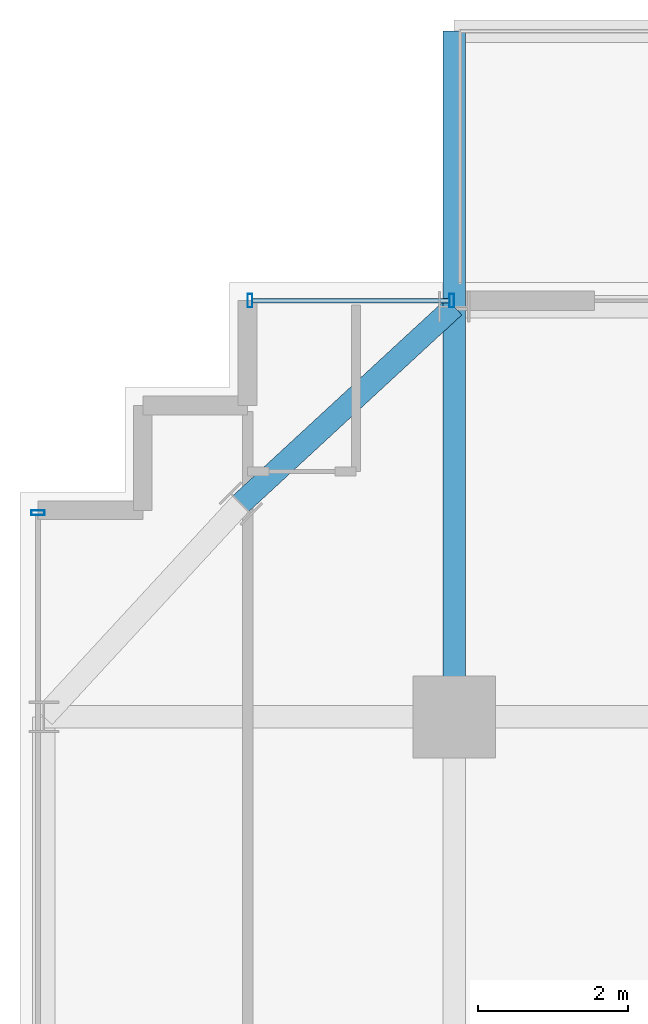
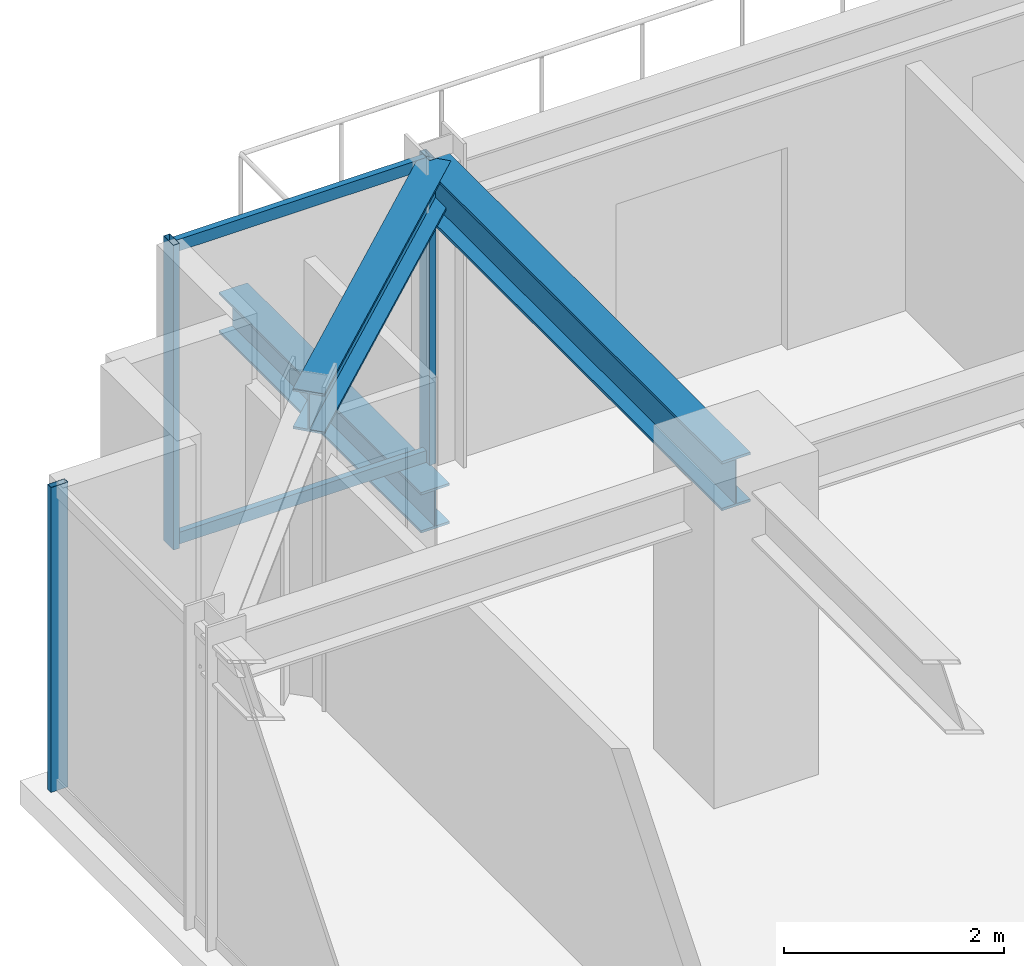
# One storey, part 15 of 29: 5 members, 3 beams, 2 elements without a shape of their own.
"""IFC4 building model written with IfcOpenShell, lengths in metres."""

from ifc_helpers import new_model, si_unit, direction, frame, origin, origin_2d, place, context, subcontext, project, spatial, hollow_rectangle, i_section, extrude, source, transform, mapped, material, material_profile, profile_set, type_object, element, aggregate, save


model = new_model("IFC4")

# Units and contexts
model_context = context("Model", 3, precision=1e-05, world=origin(), true_north=direction((0.0, 1.0)))
body_context = subcontext(model_context, "Body", "Model", "MODEL_VIEW")
ifc_project = project(units=[si_unit("LENGTHUNIT", "METRE"), si_unit("AREAUNIT", "SQUARE_METRE"), si_unit("VOLUMEUNIT", "CUBIC_METRE"), si_unit("PLANEANGLEUNIT", "RADIAN"), si_unit("MASSUNIT", "GRAM", prefix="KILO")], contexts=[model_context])

# Site, building, storey
site_placement = place(None, origin())
site = spatial("IfcSite", under=ifc_project, at=site_placement, CompositionType="ELEMENT")
building_placement = place(site_placement, origin())
building = spatial("IfcBuilding", under=site, at=building_placement, Name="Nahalor Promenade Grand Hotel", CompositionType="ELEMENT")
storey_placement = place(building_placement, frame((0.0, 0.0, 189.14990234375)))
storey = spatial("IfcBuildingStorey", under=building, at=storey_placement, Name="L48", CompositionType="ELEMENT", Elevation=189.14990234375)

# Beams
ifc_material_1 = material(Name="Steel S355JR", Category="steel")
ifc_material_profile_1 = material_profile(ifc_material_1, i_section(OverallWidth=0.3, OverallDepth=0.45, WebThickness=0.014, FlangeThickness=0.026, at=origin_2d()), Name="HEB 450")
ifc_profile_set_1 = profile_set([ifc_material_profile_1], Name="Steel S355JR")
beam_type_1 = type_object("IfcBeamType", Name="Beam-Outrigger-HEB450", PredefinedType="BEAM", material=ifc_profile_set_1)
shared_shape_1 = source(origin(), body_context, "Body", "SweptSolid", [
    extrude(i_section(OverallWidth=0.3, OverallDepth=0.45, WebThickness=0.014, FlangeThickness=0.026, at=origin_2d()), origin(), (0.0, 0.0, 1.0), 3.679931640625),
])
beam_1_placement = place(storey_placement, frame((-17.0, 22.47998046875, -0.5048828125), z_axis=(0.0, 1.0, 0.0), x_axis=(-1.0, 0.0, 0.0)))
element("IfcBeam", 1, at=beam_1_placement, inside=storey, type_object=beam_type_1, Name="BM-L48-BC-01-1", PredefinedType="BEAM", context=body_context, shape_type="MappedRepresentation", body=[
    mapped(shared_shape_1, transform((0.0, 0.0, 0.0), scale=1.0)),
])
ifc_material_profile_2 = material_profile(ifc_material_1, i_section(OverallWidth=0.3, OverallDepth=0.55, WebThickness=0.015, FlangeThickness=0.029, at=origin_2d()), Name="HEB 550")
ifc_profile_set_2 = profile_set([ifc_material_profile_2], Name="Steel S355JR")
beam_type_2 = type_object("IfcBeamType", Name="Beam-Girder-HEB550", PredefinedType="BEAM", material=ifc_profile_set_2)
shared_shape_2 = source(origin(), body_context, "Body", "SweptSolid", [
    extrude(i_section(OverallWidth=0.3, OverallDepth=0.55, WebThickness=0.015, FlangeThickness=0.029, at=origin_2d()), origin(), (0.0, 0.0, 1.0), 5.47998046875),
])
beam_2_placement = place(storey_placement, frame((-17.0, 17.0, 3.114990234375), z_axis=(0.0, 1.0, 0.0), x_axis=(-1.0, 0.0, 0.0)))
element("IfcBeam", 2, at=beam_2_placement, inside=storey, type_object=beam_type_2, Name="BM-L48-GY-0-4", PredefinedType="BEAM", context=body_context, shape_type="MappedRepresentation", body=[
    mapped(shared_shape_2, transform((0.0, 0.0, 0.0), scale=1.0)),
])
ifc_material_profile_3 = material_profile(ifc_material_1, i_section(OverallWidth=0.3, OverallDepth=0.45, WebThickness=0.014, FlangeThickness=0.026, at=origin_2d()), Name="HEB 450")
ifc_profile_set_3 = profile_set([ifc_material_profile_3], Name="Steel S355JR")
beam_type_3 = type_object("IfcBeamType", Name="Beam-Spandrel-HEB450", PredefinedType="SPANDREL", material=ifc_profile_set_3)
shared_shape_3 = source(origin(), body_context, "Body", "SweptSolid", [
    extrude(i_section(OverallWidth=0.3, OverallDepth=0.45, WebThickness=0.014, FlangeThickness=0.026, at=origin_2d()), origin(), (0.0, 0.0, 1.0), 3.878173828125),
])
beam_3_placement = place(storey_placement, frame((-17.0, 22.47998046875, 3.1650390625), z_axis=(-0.73492893846, -0.678144125843, 0.0), x_axis=(0.678144125843, -0.73492893846, 0.0)))
element("IfcBeam", 3, at=beam_3_placement, inside=storey, type_object=beam_type_3, Name="BM-L48-SPC-NW-1", PredefinedType="SPANDREL", context=body_context, shape_type="MappedRepresentation", body=[
    mapped(shared_shape_3, transform((0.0, 0.0, 0.0), scale=1.0)),
])

# Curtain wall, members
ifc_material_2 = material(Name="Anodised Bronze Aluminium EN AW-6063 T6", Category="aluminium")
curtain_wall_type = type_object("IfcCurtainWallType", Name="CW2 Typical Hotel Flush Bronze Unitised Curtain Wall", PredefinedType="USERDEFINED", material=ifc_material_2)
curtain_wall_1_placement = place(storey_placement, origin())
curtain_wall_1 = element("IfcCurtainWall", 4, at=curtain_wall_1_placement, inside=storey, type_object=curtain_wall_type, Name="L48 Curtain Wall CW-L48-N-1", ObjectType="UNITISED_CURTAIN_WALL", PredefinedType="USERDEFINED")
ifc_material_profile_4 = material_profile(ifc_material_2, hollow_rectangle(XDim=0.065, YDim=0.13, WallThickness=0.004, at=origin_2d()), Name="CWT 65x130x4")
ifc_profile_set_4 = profile_set([ifc_material_profile_4], Name="Anodised Bronze Aluminium EN AW-6063 T6")
member_type_1 = type_object("IfcMemberType", Name="CWT2 Typical Bronze Transom 65x130", PredefinedType="USERDEFINED", material=ifc_profile_set_4)
shared_shape_4 = source(origin(), body_context, "Body", "SweptSolid", [
    extrude(hollow_rectangle(XDim=0.065, YDim=0.13, WallThickness=0.004, at=origin_2d()), origin(), (0.0, 0.0, 1.0), 2.630126953125),
])
member_1_placement = place(storey_placement, frame((-19.695068359375, 22.56005859375, 0.065185546875), z_axis=(1.0, 0.0, 0.0), x_axis=(0.0, 1.0, 0.0)))
member_1 = element("IfcMember", 5, at=member_1_placement, type_object=member_type_1, Name="CW-L48-N-1 Transom 0-0", ObjectType="TRANSOM", PredefinedType="USERDEFINED", context=body_context, shape_type="MappedRepresentation", body=[
    mapped(shared_shape_4, transform((0.0, 0.0, 0.0), scale=1.0)),
])
member_2_placement = place(storey_placement, frame((-19.695068359375, 22.56005859375, 3.3251953125), z_axis=(1.0, 0.0, 0.0), x_axis=(0.0, 1.0, 0.0)))
member_2 = element("IfcMember", 6, at=member_2_placement, type_object=member_type_1, Name="CW-L48-N-1 Transom 0-1", ObjectType="TRANSOM", PredefinedType="USERDEFINED", context=body_context, shape_type="MappedRepresentation", body=[
    mapped(shared_shape_4, transform((0.0, 0.0, 0.0), scale=1.0)),
])
ifc_material_profile_5 = material_profile(ifc_material_2, hollow_rectangle(XDim=0.065, YDim=0.18, WallThickness=0.004, at=origin_2d()), Name="CWM 65x180x4")
ifc_profile_set_5 = profile_set([ifc_material_profile_5], Name="Anodised Bronze Aluminium EN AW-6063 T6")
member_type_2 = type_object("IfcMemberType", Name="CWM2 Typical Bronze Mullion 65x180", PredefinedType="MULLION", material=ifc_profile_set_5)
shared_shape_5 = source(origin(), body_context, "Body", "SweptSolid", [
    extrude(hollow_rectangle(XDim=0.065, YDim=0.18, WallThickness=0.004, at=origin_2d()), origin(), (0.0, 0.0, 1.0), 3.39013671875),
])
member_3_placement = place(storey_placement, frame((-19.7275390625, 22.56005859375, 0.0), z_axis=(0.0, 0.0, 1.0), x_axis=(1.0, 0.0, 0.0)))
member_3 = element("IfcMember", 7, at=member_3_placement, type_object=member_type_2, Name="CW-L48-N-1 Mullion 0", PredefinedType="MULLION", context=body_context, shape_type="MappedRepresentation", body=[
    mapped(shared_shape_5, transform((0.0, 0.0, 0.0), scale=1.0)),
])
member_4_placement = place(storey_placement, frame((-17.032470703125, 22.56005859375, 0.0), z_axis=(0.0, 0.0, 1.0), x_axis=(1.0, 0.0, 0.0)))
member_4 = element("IfcMember", 8, at=member_4_placement, type_object=member_type_2, Name="CW-L48-N-1 Mullion 1", PredefinedType="MULLION", context=body_context, shape_type="MappedRepresentation", body=[
    mapped(shared_shape_5, transform((0.0, 0.0, 0.0), scale=1.0)),
])
aggregate(curtain_wall_1, [member_3, member_4, member_1, member_2])

# Curtain wall, member
curtain_wall_2_placement = place(storey_placement, origin())
curtain_wall_2 = element("IfcCurtainWall", 9, at=curtain_wall_2_placement, inside=storey, type_object=curtain_wall_type, Name="L48 Curtain Wall CW-L48-W-1", ObjectType="UNITISED_CURTAIN_WALL", PredefinedType="USERDEFINED")
member_5_placement = place(storey_placement, frame((-22.56005859375, 19.7275390625, 0.0), z_axis=(0.0, 0.0, 1.0), x_axis=(0.0, 1.0, 0.0)))
member_5 = element("IfcMember", 10, at=member_5_placement, type_object=member_type_2, Name="CW-L48-W-1 Mullion 3", PredefinedType="MULLION", context=body_context, shape_type="MappedRepresentation", body=[
    mapped(shared_shape_5, transform((0.0, 0.0, 0.0), scale=1.0)),
])
aggregate(curtain_wall_2, [member_5])

save(model, "model.ifc")
